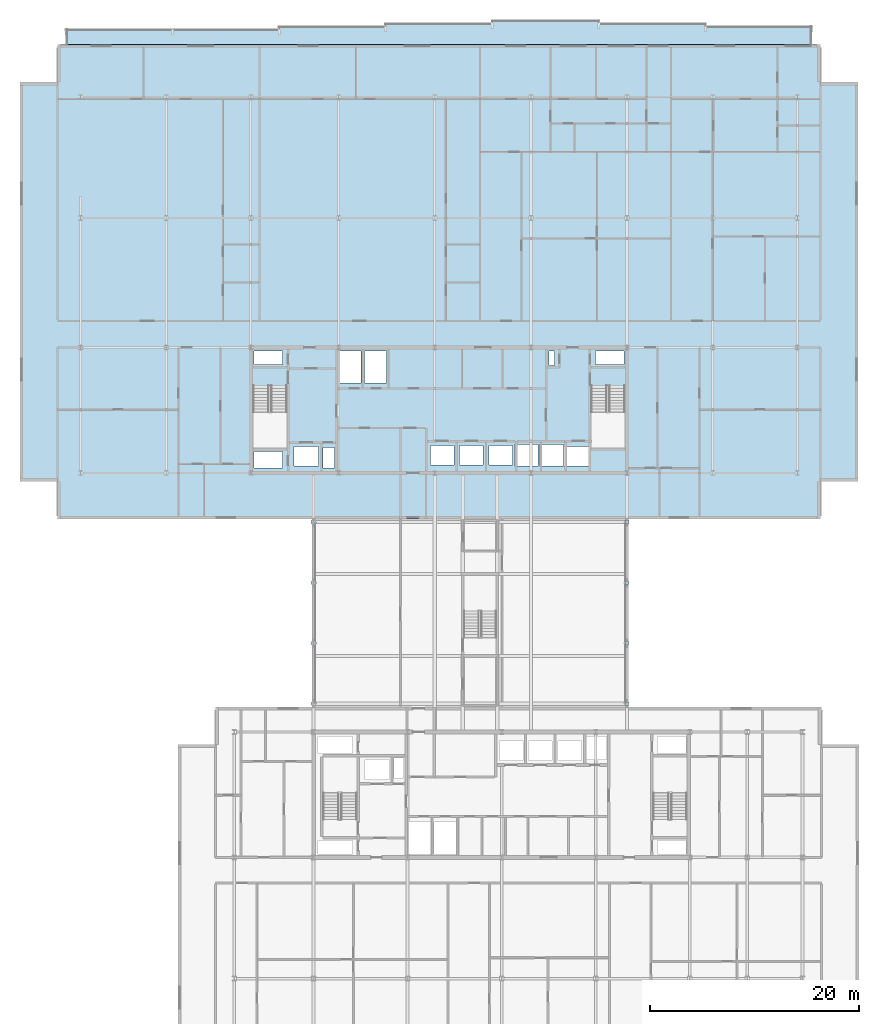
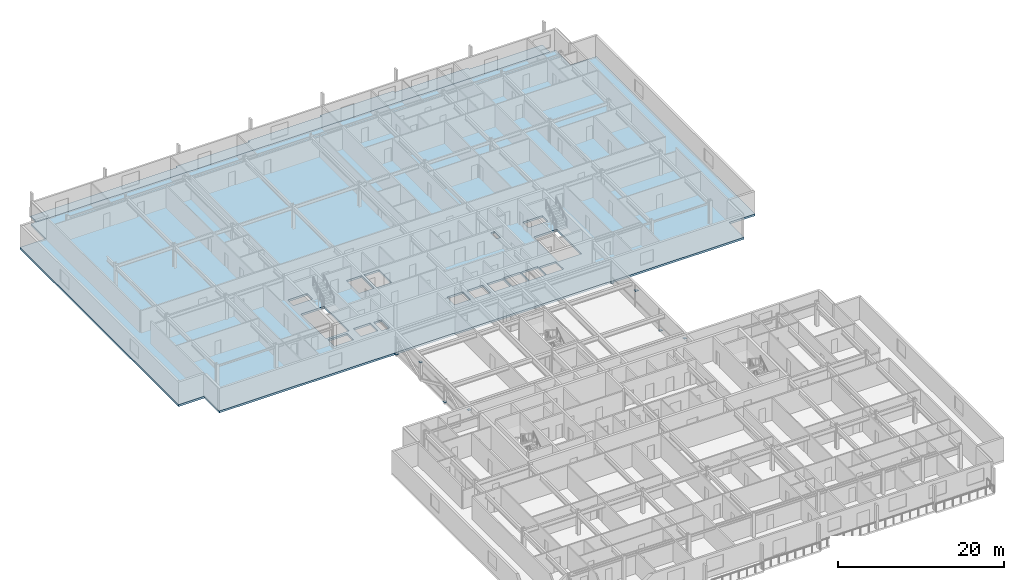
# One storey, part 16 of 36: 8 plates, 2 slabs.
"""IFC4 building model written with IfcOpenShell, lengths in metres."""

from ifc_helpers import new_model, si_unit, direction, frame, origin, origin_2d, place, context, subcontext, project, spatial, polyline, rectangle, outline, extrude, material, layer, layer_set, type_object, element, save


model = new_model("IFC4")

# Units and contexts
model_context = context("Model", 3, precision=1e-05, world=origin(), true_north=direction((0.0, 1.0)))
body_context = subcontext(model_context, "Body", "Model", "MODEL_VIEW")
ifc_project = project(units=[si_unit("LENGTHUNIT", "METRE"), si_unit("AREAUNIT", "SQUARE_METRE"), si_unit("VOLUMEUNIT", "CUBIC_METRE"), si_unit("PLANEANGLEUNIT", "RADIAN"), si_unit("MASSUNIT", "GRAM", prefix="KILO")], contexts=[model_context])

# Site, building, storey
site_placement = place(None, origin())
site = spatial("IfcSite", under=ifc_project, at=site_placement, CompositionType="ELEMENT")
building_placement = place(site_placement, origin())
building = spatial("IfcBuilding", under=site, at=building_placement, Name="Korimba Cascade Residences", CompositionType="ELEMENT")
storey_placement = place(building_placement, frame((0.0, 0.0, 146.5)))
storey = spatial("IfcBuildingStorey", under=building, at=storey_placement, Name="L42", CompositionType="ELEMENT", Elevation=146.5)

# Plates
ifc_material_1 = material(Name="Steel S460", Category="steel")
ifc_layer_1 = layer(ifc_material_1, 0.028076171875)
ifc_layer_set_1 = layer_set([ifc_layer_1], Name="Steel S460")
plate_type = type_object("IfcPlateType", Name="PLT-ENDCAP-28", PredefinedType="USERDEFINED", material=ifc_layer_set_1)
for number, where, z_axis, x_axis, name in (
    (1, (82.10009765625, 33.10009765625, 2.369140625), (0.0, 0.0, 1.0), (1.0, 0.0, 0.0), "L42 Brace Welded End Connection Plate 74"),
    (2, (82.10009765625, 38.89990234375, 0.005859375), (0.0, 0.0, 1.0), (1.0, 0.0, 0.0), "L42 Brace Welded End Connection Plate 75"),
    (3, (82.10009765625, 44.699951171875, 2.369140625), (0.0, 0.0, 1.0), (1.0, 0.0, 0.0), "L42 Brace Welded End Connection Plate 76"),
    (4, (82.10009765625, 50.5, 0.005859375), (0.0, 0.0, 1.0), (1.0, 0.0, 0.0), "L42 Brace Welded End Connection Plate 77"),
    (5, (112.10009765625, 33.10009765625, 2.369140625), (0.0, 0.0, 1.0), (1.0, 0.0, 0.0), "L42 Brace Welded End Connection Plate 78"),
    (6, (112.10009765625, 38.89990234375, 0.005859375), (0.0, 0.0, 1.0), (1.0, 0.0, 0.0), "L42 Brace Welded End Connection Plate 79"),
    (7, (112.10009765625, 44.699951171875, 2.369140625), (0.0, 0.0, 1.0), (1.0, 0.0, 0.0), "L42 Brace Welded End Connection Plate 80"),
    (8, (112.10009765625, 50.5, 0.005859375), (0.0, 0.0, 1.0), (1.0, 0.0, 0.0), "L42 Brace Welded End Connection Plate 81"),
):
    element("IfcPlate", number, at=place(storey_placement, frame(where, z_axis=z_axis, x_axis=x_axis)), inside=storey, type_object=plate_type, Name=name, ObjectType="CAP PLATE", PredefinedType="USERDEFINED", context=body_context, shape_type="SweptSolid", body=[
        extrude(rectangle(XDim=0.360107421875, YDim=0.360107421875, at=origin_2d()), origin(), (0.0, 0.0, 1.0), 0.028076171875),
    ])

# Slabs
ifc_material_2 = material(Name="Precast concrete C40/50", Category="concrete")
ifc_layer_2 = layer(ifc_material_2, 0.239990234375)
ifc_layer_set_2 = layer_set([ifc_layer_2], Name="Precast concrete C40/50")
slab_type_1 = type_object("IfcSlabType", Name="SLB-LOG-240", PredefinedType="FLOOR", material=ifc_layer_set_2)
slab_1_placement = place(storey_placement, frame((0.0, 0.0, -0.239990234375)))
element("IfcSlab", 9, at=slab_1_placement, inside=storey, type_object=slab_type_1, Name="L42 Tower 1 North Loggia Slab", PredefinedType="FLOOR", context=body_context, shape_type="SweptSolid", body=[
    extrude(outline(polyline([(58.39990234375, 96.199951171875), (129.800048828125, 96.199951171875), (129.800048828125, 97.949951171875), (119.60009765625, 97.949951171875), (119.60009765625, 98.25), (109.39990234375, 98.25), (109.39990234375, 98.550048828125), (99.199951171875, 98.550048828125), (99.199951171875, 98.25), (89.0, 98.25), (89.0, 97.949951171875), (78.800048828125, 97.949951171875), (78.800048828125, 97.64990234375), (58.39990234375, 97.64990234375), (58.39990234375, 96.199951171875)])), origin(), (0.0, 0.0, 1.0), 0.239990234375),
])
ifc_material_3 = material(Name="Concrete C50/60", Category="concrete")
ifc_layer_3 = layer(ifc_material_3, 0.280029296875)
ifc_layer_set_3 = layer_set([ifc_layer_3], Name="Concrete C50/60")
slab_type_2 = type_object("IfcSlabType", Name="SLB-TYP-280", PredefinedType="FLOOR", material=ifc_layer_set_3)
slab_2_placement = place(storey_placement, frame((0.0, 0.0, -0.2900390625)))
element("IfcSlab", 10, at=slab_2_placement, inside=storey, type_object=slab_type_2, Name="L42 Tower 1 Floor Slab", PredefinedType="FLOOR", context=body_context, shape_type="SweptSolid", body=[
    extrude(outline(polyline([(57.60009765625, 50.800048828125), (130.60009765625, 50.800048828125), (130.60009765625, 54.39990234375), (134.199951171875, 54.39990234375), (134.199951171875, 92.60009765625), (130.60009765625, 92.60009765625), (130.60009765625, 96.199951171875), (57.60009765625, 96.199951171875), (57.60009765625, 92.60009765625), (54.0, 92.60009765625), (54.0, 54.39990234375), (57.60009765625, 54.39990234375), (57.60009765625, 50.800048828125)]), holes=[polyline([(76.300048828125, 63.514892578125), (76.300048828125, 57.60009765625), (79.5400390625, 57.60009765625), (79.5400390625, 63.514892578125), (76.300048828125, 63.514892578125)]), polyline([(108.659912109375, 63.514892578125), (108.659912109375, 57.60009765625), (111.89990234375, 57.60009765625), (111.89990234375, 63.514892578125), (108.659912109375, 63.514892578125)]), polyline([(80.22998046875, 55.8798828125), (82.570068359375, 55.8798828125), (82.570068359375, 57.719970703125), (80.22998046875, 57.719970703125), (80.22998046875, 55.8798828125)]), polyline([(106.080078125, 55.8798828125), (108.419921875, 55.8798828125), (108.419921875, 57.719970703125), (106.080078125, 57.719970703125), (106.080078125, 55.8798828125)]), polyline([(93.280029296875, 55.97998046875), (95.52001953125, 55.97998046875), (95.52001953125, 57.820068359375), (93.280029296875, 57.820068359375), (93.280029296875, 55.97998046875)]), polyline([(96.080078125, 55.97998046875), (98.320068359375, 55.97998046875), (98.320068359375, 57.820068359375), (96.080078125, 57.820068359375), (96.080078125, 55.97998046875)]), polyline([(98.8798828125, 55.97998046875), (101.1201171875, 55.97998046875), (101.1201171875, 57.820068359375), (98.8798828125, 57.820068359375), (98.8798828125, 55.97998046875)]), polyline([(101.304931640625, 55.8798828125), (103.594970703125, 55.8798828125), (103.594970703125, 57.919921875), (101.304931640625, 57.919921875), (101.304931640625, 55.8798828125)]), polyline([(103.705078125, 55.8798828125), (105.9951171875, 55.8798828125), (105.9951171875, 57.919921875), (103.705078125, 57.919921875), (103.705078125, 55.8798828125)]), polyline([(82.97998046875, 55.679931640625), (84.080078125, 55.679931640625), (84.080078125, 57.6201171875), (82.97998046875, 57.6201171875), (82.97998046875, 55.679931640625)]), polyline([(76.39990234375, 65.56005859375), (79.10009765625, 65.56005859375), (79.10009765625, 66.8798828125), (76.39990234375, 66.8798828125), (76.39990234375, 65.56005859375)]), polyline([(76.39990234375, 55.679931640625), (79.10009765625, 55.679931640625), (79.10009765625, 57.239990234375), (76.39990234375, 57.239990234375), (76.39990234375, 55.679931640625)]), polyline([(84.530029296875, 63.820068359375), (86.6201171875, 63.820068359375), (86.6201171875, 66.8798828125), (84.530029296875, 66.8798828125), (84.530029296875, 63.820068359375)]), polyline([(86.97998046875, 63.820068359375), (89.070068359375, 63.820068359375), (89.070068359375, 66.8798828125), (86.97998046875, 66.8798828125), (86.97998046875, 63.820068359375)]), polyline([(104.6201171875, 65.4599609375), (105.179931640625, 65.4599609375), (105.179931640625, 66.8798828125), (104.6201171875, 66.8798828125), (104.6201171875, 65.4599609375)]), polyline([(109.080078125, 65.56005859375), (111.800048828125, 65.56005859375), (111.800048828125, 66.8798828125), (109.080078125, 66.8798828125), (109.080078125, 65.56005859375)])]), origin(), (0.0, 0.0, 1.0), 0.2900390625),
])

save(model, "model.ifc")
